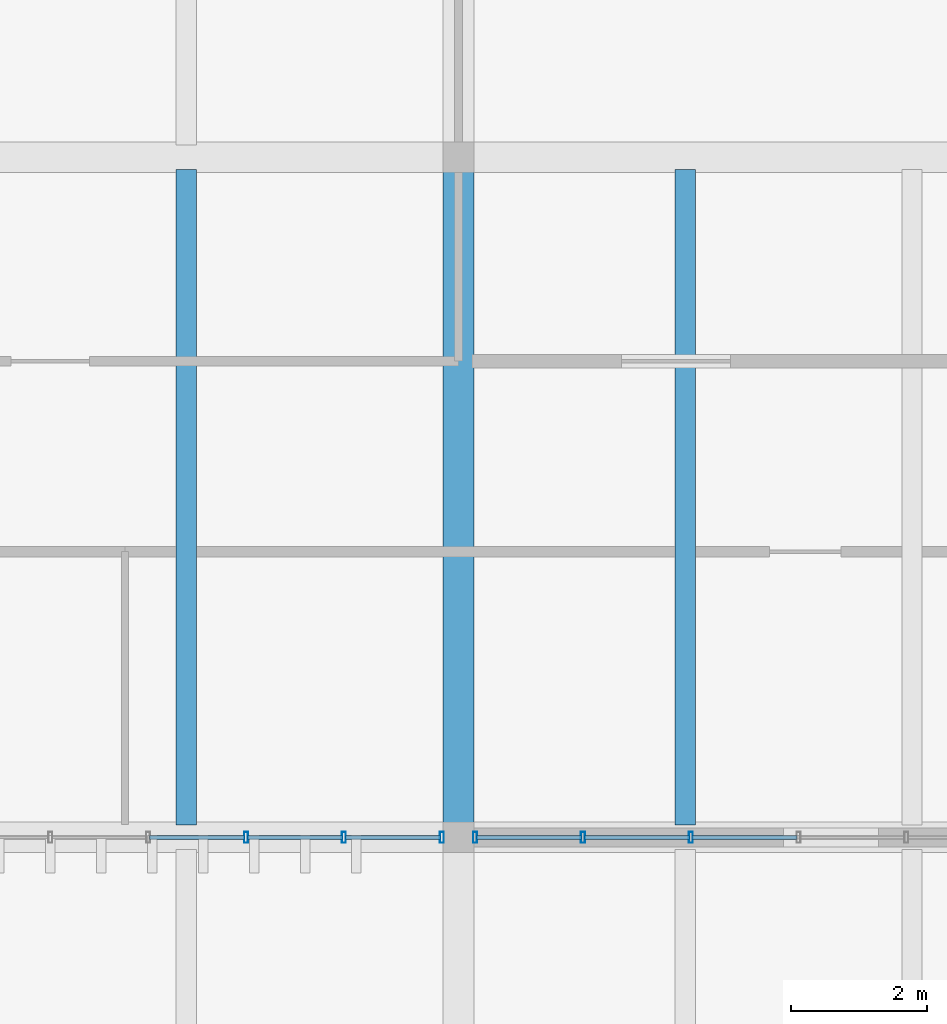
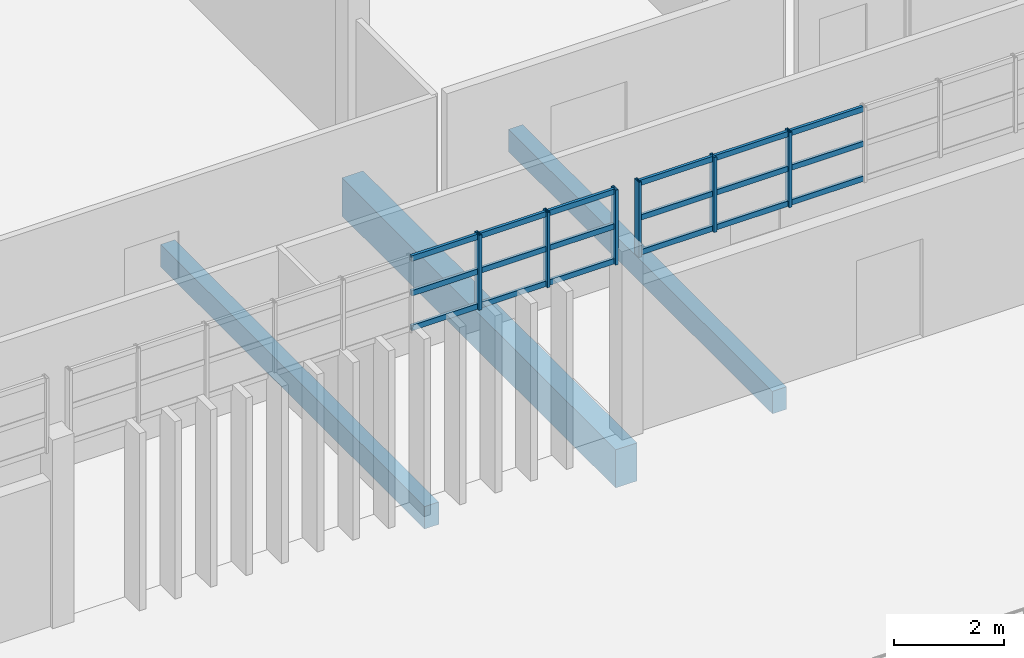
# One storey, part 16 of 36: 24 members, 3 beams, 2 elements without a shape of their own.
"""IFC4 building model written with IfcOpenShell, lengths in metres."""

from ifc_helpers import new_model, si_unit, direction, frame, origin, origin_2d, place, context, subcontext, project, spatial, rectangle, hollow_rectangle, extrude, material, layer, layer_set, material_profile, profile_set, type_object, element, aggregate, save


model = new_model("IFC4")

# Units and contexts
model_context = context("Model", 3, precision=1e-05, world=origin(), true_north=direction((0.0, 1.0)))
body_context = subcontext(model_context, "Body", "Model", "MODEL_VIEW")
ifc_project = project(units=[si_unit("LENGTHUNIT", "METRE"), si_unit("AREAUNIT", "SQUARE_METRE"), si_unit("VOLUMEUNIT", "CUBIC_METRE"), si_unit("PLANEANGLEUNIT", "RADIAN"), si_unit("MASSUNIT", "GRAM", prefix="KILO")], contexts=[model_context])

# Site, building, storey
site_placement = place(None, origin())
site = spatial("IfcSite", under=ifc_project, at=site_placement, CompositionType="ELEMENT")
building_placement = place(site_placement, origin())
building = spatial("IfcBuilding", under=site, at=building_placement, Name="Mersad Railyard Sports Hall", CompositionType="ELEMENT")
storey_placement = place(building_placement, frame((0.0, 0.0, 21.60009765625)))
storey = spatial("IfcBuildingStorey", under=building, at=storey_placement, Name="L05", CompositionType="ELEMENT", Elevation=21.60009765625)

# Curtain wall, members
ifc_material_1 = material(Name="Aluminium 6063-T6", Category="aluminium")
ifc_layer_1 = layer(ifc_material_1, 0.159912109375)
ifc_layer_set_1 = layer_set([ifc_layer_1], Name="Aluminium 6063-T6")
curtain_wall_type_1 = type_object("IfcCurtainWallType", Name="ARC-CW-CW48", PredefinedType="USERDEFINED", material=ifc_layer_set_1)
curtain_wall_1_placement = place(storey_placement, origin())
curtain_wall_1 = element("IfcCurtainWall", 1, at=curtain_wall_1_placement, inside=storey, type_object=curtain_wall_type_1, Name="Curtain wall CW48-0130", ObjectType="CURTAIN WALL", PredefinedType="USERDEFINED")
ifc_material_profile_1 = material_profile(ifc_material_1, hollow_rectangle(XDim=0.06005859375, YDim=0.159912109375, WallThickness=0.00390625, at=origin_2d()), Name="AL MULLION 60x160x4")
ifc_profile_set_1 = profile_set([ifc_material_profile_1], Name="Aluminium 6063-T6")
member_type_1 = type_object("IfcMemberType", Name="ARC-CW-MUL01", PredefinedType="MULLION", material=ifc_profile_set_1)
member_1_placement = place(storey_placement, frame((90.7548828125, 95.0, 3.829833984375), z_axis=(0.0, 0.0, 1.0), x_axis=(1.0, 0.0, 0.0)))
member_1 = element("IfcMember", 2, at=member_1_placement, type_object=member_type_1, Name="CW48 Mullion 1", PredefinedType="MULLION", context=body_context, shape_type="SweptSolid", body=[
    extrude(hollow_rectangle(XDim=0.06005859375, YDim=0.159912109375, WallThickness=0.00390625, at=origin_2d()), origin(), (0.0, 0.0, 1.0), 1.670166015625),
])
member_2_placement = place(storey_placement, frame((89.316162109375, 95.0, 3.829833984375), z_axis=(0.0, 0.0, 1.0), x_axis=(1.0, 0.0, 0.0)))
member_2 = element("IfcMember", 3, at=member_2_placement, type_object=member_type_1, Name="CW48 Mullion 2", PredefinedType="MULLION", context=body_context, shape_type="SweptSolid", body=[
    extrude(hollow_rectangle(XDim=0.06005859375, YDim=0.159912109375, WallThickness=0.00390625, at=origin_2d()), origin(), (0.0, 0.0, 1.0), 1.670166015625),
])
member_3_placement = place(storey_placement, frame((87.87744140625, 95.0, 3.829833984375), z_axis=(0.0, 0.0, 1.0), x_axis=(1.0, 0.0, 0.0)))
member_3 = element("IfcMember", 4, at=member_3_placement, type_object=member_type_1, Name="CW48 Mullion 3", PredefinedType="MULLION", context=body_context, shape_type="SweptSolid", body=[
    extrude(hollow_rectangle(XDim=0.06005859375, YDim=0.159912109375, WallThickness=0.00390625, at=origin_2d()), origin(), (0.0, 0.0, 1.0), 1.670166015625),
])

ifc_layer_2 = layer(ifc_material_1, 0.159912109375)
ifc_layer_set_2 = layer_set([ifc_layer_2], Name="Aluminium 6063-T6")
curtain_wall_type_2 = type_object("IfcCurtainWallType", Name="ARC-CW-CW50", PredefinedType="USERDEFINED", material=ifc_layer_set_2)
curtain_wall_2_placement = place(storey_placement, origin())
curtain_wall_2 = element("IfcCurtainWall", 5, at=curtain_wall_2_placement, inside=storey, type_object=curtain_wall_type_2, Name="Curtain wall CW50-0132", ObjectType="CURTAIN WALL", PredefinedType="USERDEFINED")
member_4_placement = place(storey_placement, frame((94.4150390625, 95.0, 3.829833984375), z_axis=(0.0, 0.0, 1.0), x_axis=(1.0, 0.0, 0.0)))
member_4 = element("IfcMember", 6, at=member_4_placement, type_object=member_type_1, Name="CW50 Mullion 5", PredefinedType="MULLION", context=body_context, shape_type="SweptSolid", body=[
    extrude(hollow_rectangle(XDim=0.06005859375, YDim=0.159912109375, WallThickness=0.00390625, at=origin_2d()), origin(), (0.0, 0.0, 1.0), 1.670166015625),
])
member_5_placement = place(storey_placement, frame((92.830078125, 95.0, 3.829833984375), z_axis=(0.0, 0.0, 1.0), x_axis=(1.0, 0.0, 0.0)))
member_5 = element("IfcMember", 7, at=member_5_placement, type_object=member_type_1, Name="CW50 Mullion 6", PredefinedType="MULLION", context=body_context, shape_type="SweptSolid", body=[
    extrude(hollow_rectangle(XDim=0.06005859375, YDim=0.159912109375, WallThickness=0.00390625, at=origin_2d()), origin(), (0.0, 0.0, 1.0), 1.670166015625),
])
member_6_placement = place(storey_placement, frame((91.2451171875, 95.0, 3.829833984375), z_axis=(0.0, 0.0, 1.0), x_axis=(1.0, 0.0, 0.0)))
member_6 = element("IfcMember", 8, at=member_6_placement, type_object=member_type_1, Name="CW50 Mullion 7", PredefinedType="MULLION", context=body_context, shape_type="SweptSolid", body=[
    extrude(hollow_rectangle(XDim=0.06005859375, YDim=0.159912109375, WallThickness=0.00390625, at=origin_2d()), origin(), (0.0, 0.0, 1.0), 1.670166015625),
])

# Member
ifc_material_profile_2 = material_profile(ifc_material_1, hollow_rectangle(XDim=0.06005859375, YDim=0.1201171875, WallThickness=0.00390625, at=origin_2d()), Name="AL TRANSOM 60x120x4")
ifc_profile_set_2 = profile_set([ifc_material_profile_2], Name="Aluminium 6063-T6")
member_type_2 = type_object("IfcMemberType", Name="ARC-CW-TRN01", PredefinedType="USERDEFINED", material=ifc_profile_set_2)
member_7_placement = place(storey_placement, frame((90.735107421875, 95.0, 3.889892578125), z_axis=(-1.0, 0.0, 0.0), x_axis=(0.0, -1.0, 0.0)))
member_7 = element("IfcMember", 9, at=member_7_placement, type_object=member_type_2, Name="CW48 Transom 1-1", ObjectType="TRANSOM", PredefinedType="USERDEFINED", context=body_context, shape_type="SweptSolid", body=[
    extrude(hollow_rectangle(XDim=0.06005859375, YDim=0.1201171875, WallThickness=0.00390625, at=origin_2d()), origin(), (0.0, 0.0, 1.0), 1.39892578125),
])

member_8_placement = place(storey_placement, frame((89.296142578125, 95.0, 3.889892578125), z_axis=(-1.0, 0.0, 0.0), x_axis=(0.0, -1.0, 0.0)))
member_8 = element("IfcMember", 10, at=member_8_placement, type_object=member_type_2, Name="CW48 Transom 1-2", ObjectType="TRANSOM", PredefinedType="USERDEFINED", context=body_context, shape_type="SweptSolid", body=[
    extrude(hollow_rectangle(XDim=0.06005859375, YDim=0.1201171875, WallThickness=0.00390625, at=origin_2d()), origin(), (0.0, 0.0, 1.0), 1.398681640625),
])

member_9_placement = place(storey_placement, frame((87.857421875, 95.0, 3.889892578125), z_axis=(-1.0, 0.0, 0.0), x_axis=(0.0, -1.0, 0.0)))
member_9 = element("IfcMember", 11, at=member_9_placement, type_object=member_type_2, Name="CW48 Transom 1-3", ObjectType="TRANSOM", PredefinedType="USERDEFINED", context=body_context, shape_type="SweptSolid", body=[
    extrude(hollow_rectangle(XDim=0.06005859375, YDim=0.1201171875, WallThickness=0.00390625, at=origin_2d()), origin(), (0.0, 0.0, 1.0), 1.398681640625),
])

member_10_placement = place(storey_placement, frame((90.735107421875, 95.0, 4.664794921875), z_axis=(-1.0, 0.0, 0.0), x_axis=(0.0, -1.0, 0.0)))
member_10 = element("IfcMember", 12, at=member_10_placement, type_object=member_type_2, Name="CW48 Transom 2-1", ObjectType="TRANSOM", PredefinedType="USERDEFINED", context=body_context, shape_type="SweptSolid", body=[
    extrude(hollow_rectangle(XDim=0.06005859375, YDim=0.1201171875, WallThickness=0.00390625, at=origin_2d()), origin(), (0.0, 0.0, 1.0), 1.39892578125),
])

member_11_placement = place(storey_placement, frame((89.296142578125, 95.0, 4.664794921875), z_axis=(-1.0, 0.0, 0.0), x_axis=(0.0, -1.0, 0.0)))
member_11 = element("IfcMember", 13, at=member_11_placement, type_object=member_type_2, Name="CW48 Transom 2-2", ObjectType="TRANSOM", PredefinedType="USERDEFINED", context=body_context, shape_type="SweptSolid", body=[
    extrude(hollow_rectangle(XDim=0.06005859375, YDim=0.1201171875, WallThickness=0.00390625, at=origin_2d()), origin(), (0.0, 0.0, 1.0), 1.398681640625),
])

member_12_placement = place(storey_placement, frame((87.857421875, 95.0, 4.664794921875), z_axis=(-1.0, 0.0, 0.0), x_axis=(0.0, -1.0, 0.0)))
member_12 = element("IfcMember", 14, at=member_12_placement, type_object=member_type_2, Name="CW48 Transom 2-3", ObjectType="TRANSOM", PredefinedType="USERDEFINED", context=body_context, shape_type="SweptSolid", body=[
    extrude(hollow_rectangle(XDim=0.06005859375, YDim=0.1201171875, WallThickness=0.00390625, at=origin_2d()), origin(), (0.0, 0.0, 1.0), 1.398681640625),
])

member_13_placement = place(storey_placement, frame((90.735107421875, 95.0, 5.43994140625), z_axis=(-1.0, 0.0, 0.0), x_axis=(0.0, -1.0, 0.0)))
member_13 = element("IfcMember", 15, at=member_13_placement, type_object=member_type_2, Name="CW48 Transom 3-1", ObjectType="TRANSOM", PredefinedType="USERDEFINED", context=body_context, shape_type="SweptSolid", body=[
    extrude(hollow_rectangle(XDim=0.06005859375, YDim=0.1201171875, WallThickness=0.00390625, at=origin_2d()), origin(), (0.0, 0.0, 1.0), 1.39892578125),
])

member_14_placement = place(storey_placement, frame((89.296142578125, 95.0, 5.43994140625), z_axis=(-1.0, 0.0, 0.0), x_axis=(0.0, -1.0, 0.0)))
member_14 = element("IfcMember", 16, at=member_14_placement, type_object=member_type_2, Name="CW48 Transom 3-2", ObjectType="TRANSOM", PredefinedType="USERDEFINED", context=body_context, shape_type="SweptSolid", body=[
    extrude(hollow_rectangle(XDim=0.06005859375, YDim=0.1201171875, WallThickness=0.00390625, at=origin_2d()), origin(), (0.0, 0.0, 1.0), 1.398681640625),
])

member_15_placement = place(storey_placement, frame((87.857421875, 95.0, 5.43994140625), z_axis=(-1.0, 0.0, 0.0), x_axis=(0.0, -1.0, 0.0)))
member_15 = element("IfcMember", 17, at=member_15_placement, type_object=member_type_2, Name="CW48 Transom 3-3", ObjectType="TRANSOM", PredefinedType="USERDEFINED", context=body_context, shape_type="SweptSolid", body=[
    extrude(hollow_rectangle(XDim=0.06005859375, YDim=0.1201171875, WallThickness=0.00390625, at=origin_2d()), origin(), (0.0, 0.0, 1.0), 1.398681640625),
])

aggregate(curtain_wall_1, [member_1, member_2, member_3, member_7, member_8, member_9, member_10, member_11, member_12, member_13, member_14, member_15])

member_16_placement = place(storey_placement, frame((95.97998046875, 95.0, 3.889892578125), z_axis=(-1.0, 0.0, 0.0), x_axis=(0.0, -1.0, 0.0)))
member_16 = element("IfcMember", 18, at=member_16_placement, type_object=member_type_2, Name="CW50 Transom 1-4", ObjectType="TRANSOM", PredefinedType="USERDEFINED", context=body_context, shape_type="SweptSolid", body=[
    extrude(hollow_rectangle(XDim=0.06005859375, YDim=0.1201171875, WallThickness=0.00390625, at=origin_2d()), origin(), (0.0, 0.0, 1.0), 1.544921875),
])

member_17_placement = place(storey_placement, frame((94.39501953125, 95.0, 3.889892578125), z_axis=(-1.0, 0.0, 0.0), x_axis=(0.0, -1.0, 0.0)))
member_17 = element("IfcMember", 19, at=member_17_placement, type_object=member_type_2, Name="CW50 Transom 1-5", ObjectType="TRANSOM", PredefinedType="USERDEFINED", context=body_context, shape_type="SweptSolid", body=[
    extrude(hollow_rectangle(XDim=0.06005859375, YDim=0.1201171875, WallThickness=0.00390625, at=origin_2d()), origin(), (0.0, 0.0, 1.0), 1.544921875),
])

member_18_placement = place(storey_placement, frame((92.81005859375, 95.0, 3.889892578125), z_axis=(-1.0, 0.0, 0.0), x_axis=(0.0, -1.0, 0.0)))
member_18 = element("IfcMember", 20, at=member_18_placement, type_object=member_type_2, Name="CW50 Transom 1-6", ObjectType="TRANSOM", PredefinedType="USERDEFINED", context=body_context, shape_type="SweptSolid", body=[
    extrude(hollow_rectangle(XDim=0.06005859375, YDim=0.1201171875, WallThickness=0.00390625, at=origin_2d()), origin(), (0.0, 0.0, 1.0), 1.545166015625),
])

member_19_placement = place(storey_placement, frame((95.97998046875, 95.0, 4.664794921875), z_axis=(-1.0, 0.0, 0.0), x_axis=(0.0, -1.0, 0.0)))
member_19 = element("IfcMember", 21, at=member_19_placement, type_object=member_type_2, Name="CW50 Transom 2-4", ObjectType="TRANSOM", PredefinedType="USERDEFINED", context=body_context, shape_type="SweptSolid", body=[
    extrude(hollow_rectangle(XDim=0.06005859375, YDim=0.1201171875, WallThickness=0.00390625, at=origin_2d()), origin(), (0.0, 0.0, 1.0), 1.544921875),
])

member_20_placement = place(storey_placement, frame((94.39501953125, 95.0, 4.664794921875), z_axis=(-1.0, 0.0, 0.0), x_axis=(0.0, -1.0, 0.0)))
member_20 = element("IfcMember", 22, at=member_20_placement, type_object=member_type_2, Name="CW50 Transom 2-5", ObjectType="TRANSOM", PredefinedType="USERDEFINED", context=body_context, shape_type="SweptSolid", body=[
    extrude(hollow_rectangle(XDim=0.06005859375, YDim=0.1201171875, WallThickness=0.00390625, at=origin_2d()), origin(), (0.0, 0.0, 1.0), 1.544921875),
])

member_21_placement = place(storey_placement, frame((92.81005859375, 95.0, 4.664794921875), z_axis=(-1.0, 0.0, 0.0), x_axis=(0.0, -1.0, 0.0)))
member_21 = element("IfcMember", 23, at=member_21_placement, type_object=member_type_2, Name="CW50 Transom 2-6", ObjectType="TRANSOM", PredefinedType="USERDEFINED", context=body_context, shape_type="SweptSolid", body=[
    extrude(hollow_rectangle(XDim=0.06005859375, YDim=0.1201171875, WallThickness=0.00390625, at=origin_2d()), origin(), (0.0, 0.0, 1.0), 1.545166015625),
])

member_22_placement = place(storey_placement, frame((95.97998046875, 95.0, 5.43994140625), z_axis=(-1.0, 0.0, 0.0), x_axis=(0.0, -1.0, 0.0)))
member_22 = element("IfcMember", 24, at=member_22_placement, type_object=member_type_2, Name="CW50 Transom 3-4", ObjectType="TRANSOM", PredefinedType="USERDEFINED", context=body_context, shape_type="SweptSolid", body=[
    extrude(hollow_rectangle(XDim=0.06005859375, YDim=0.1201171875, WallThickness=0.00390625, at=origin_2d()), origin(), (0.0, 0.0, 1.0), 1.544921875),
])

member_23_placement = place(storey_placement, frame((94.39501953125, 95.0, 5.43994140625), z_axis=(-1.0, 0.0, 0.0), x_axis=(0.0, -1.0, 0.0)))
member_23 = element("IfcMember", 25, at=member_23_placement, type_object=member_type_2, Name="CW50 Transom 3-5", ObjectType="TRANSOM", PredefinedType="USERDEFINED", context=body_context, shape_type="SweptSolid", body=[
    extrude(hollow_rectangle(XDim=0.06005859375, YDim=0.1201171875, WallThickness=0.00390625, at=origin_2d()), origin(), (0.0, 0.0, 1.0), 1.544921875),
])

member_24_placement = place(storey_placement, frame((92.81005859375, 95.0, 5.43994140625), z_axis=(-1.0, 0.0, 0.0), x_axis=(0.0, -1.0, 0.0)))
member_24 = element("IfcMember", 26, at=member_24_placement, type_object=member_type_2, Name="CW50 Transom 3-6", ObjectType="TRANSOM", PredefinedType="USERDEFINED", context=body_context, shape_type="SweptSolid", body=[
    extrude(hollow_rectangle(XDim=0.06005859375, YDim=0.1201171875, WallThickness=0.00390625, at=origin_2d()), origin(), (0.0, 0.0, 1.0), 1.545166015625),
])

aggregate(curtain_wall_2, [member_4, member_5, member_6, member_16, member_17, member_18, member_19, member_20, member_21, member_22, member_23, member_24])

# Beams
ifc_material_2 = material(Name="Concrete C40/50", Category="concrete")
ifc_material_profile_3 = material_profile(ifc_material_2, rectangle(XDim=0.449951171875, YDim=0.85009765625, at=origin_2d()), Name="RC 450x850")
ifc_profile_set_3 = profile_set([ifc_material_profile_3], Name="Concrete C40/50")
beam_type_1 = type_object("IfcBeamType", Name="STR-BM-B02", PredefinedType="BEAM", material=ifc_profile_set_3)
beam_placement = place(storey_placement, frame((91.0, 95.0, -0.775146484375), z_axis=(0.0, 1.0, 0.0), x_axis=(-1.0, 0.0, 0.0)))
element("IfcBeam", 27, at=beam_placement, inside=storey, type_object=beam_type_1, Name="Beam B02-1437", PredefinedType="BEAM", context=body_context, shape_type="SweptSolid", body=[
    extrude(rectangle(XDim=0.449951171875, YDim=0.85009765625, at=origin_2d()), origin(), (0.0, 0.0, 1.0), 10.0),
])
ifc_material_profile_4 = material_profile(ifc_material_2, rectangle(XDim=0.300048828125, YDim=0.5, at=origin_2d()), Name="RC 300x500")
ifc_profile_set_4 = profile_set([ifc_material_profile_4], Name="Concrete C40/50")
beam_type_2 = type_object("IfcBeamType", Name="STR-BM-LN01", PredefinedType="LINTEL", material=ifc_profile_set_4)
for number, where, z_axis, x_axis, name in (
    (28, (87.0, 95.179931640625, -0.60009765625), (0.0, 1.0, 0.0), (-1.0, 0.0, 0.0), "Beam LN01-1462"),
    (29, (94.3330078125, 95.179931640625, -0.60009765625), (0.0, 1.0, 0.0), (-1.0, 0.0, 0.0), "Beam LN01-1467"),
):
    element("IfcBeam", number, at=place(storey_placement, frame(where, z_axis=z_axis, x_axis=x_axis)), inside=storey, type_object=beam_type_2, Name=name, PredefinedType="LINTEL", context=body_context, shape_type="SweptSolid", body=[
        extrude(rectangle(XDim=0.300048828125, YDim=0.5, at=origin_2d()), origin(), (0.0, 0.0, 1.0), 9.64013671875),
    ])

save(model, "model.ifc")
